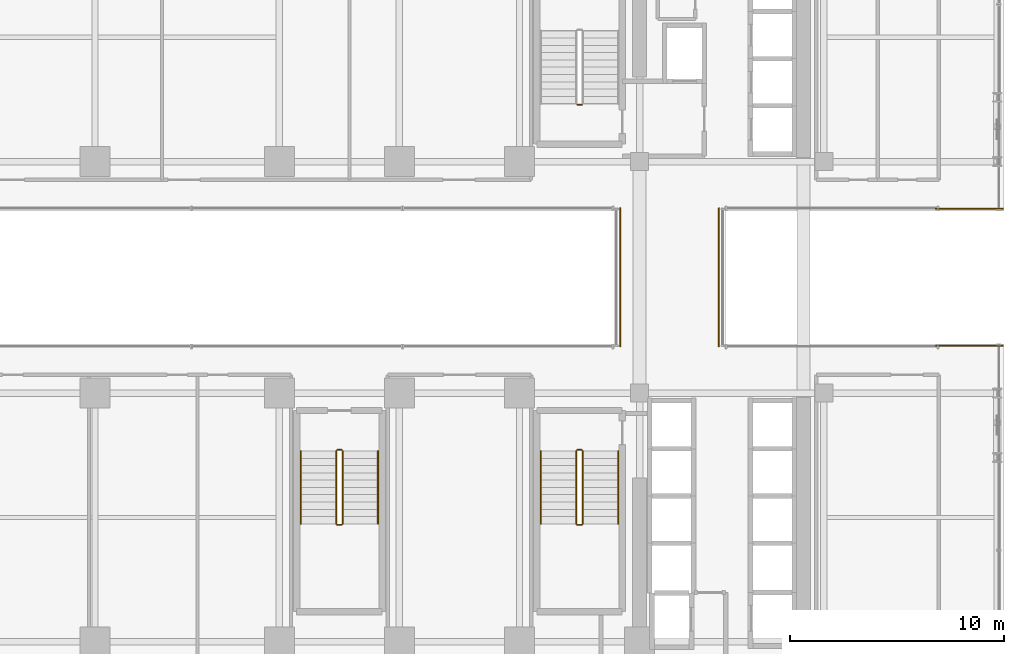
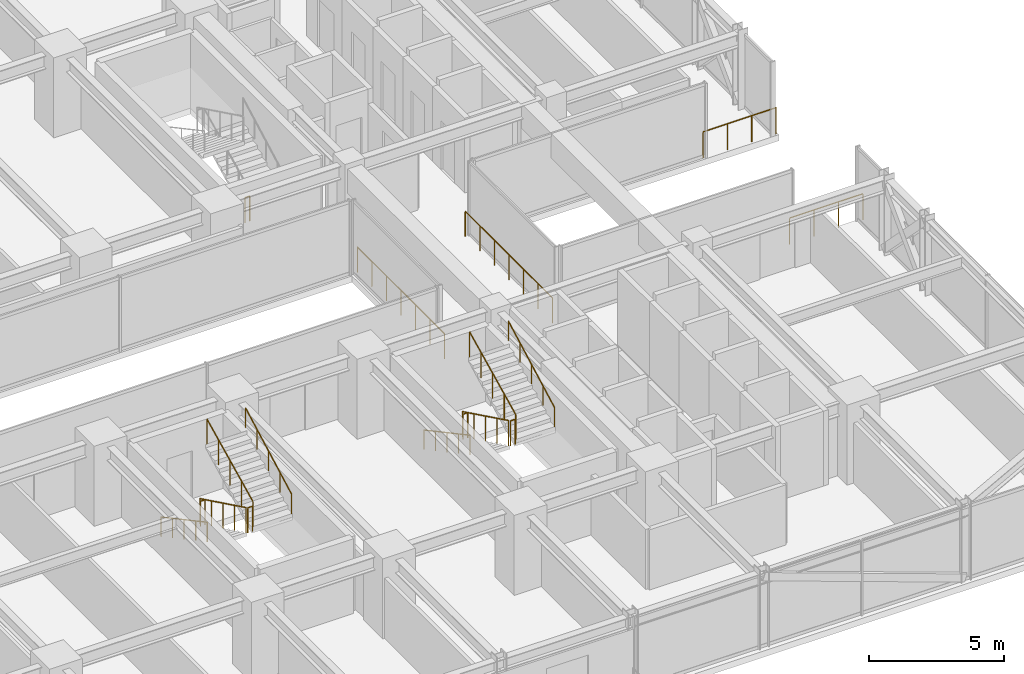
# One storey, part 36 of 38: 17 railings.
"""IFC4 building model written with IfcOpenShell, lengths in metres."""

from ifc_helpers import new_model, si_unit, direction, frame, origin, origin_2d, place, context, subcontext, project, spatial, circle, extrude, material, type_object, element, save


model = new_model("IFC4")

# Units and contexts
model_context = context("Model", 3, precision=1e-05, world=origin(), true_north=direction((0.0, 1.0)))
body_context = subcontext(model_context, "Body", "Model", "MODEL_VIEW")
ifc_project = project(units=[si_unit("LENGTHUNIT", "METRE"), si_unit("AREAUNIT", "SQUARE_METRE"), si_unit("VOLUMEUNIT", "CUBIC_METRE"), si_unit("PLANEANGLEUNIT", "RADIAN"), si_unit("MASSUNIT", "GRAM", prefix="KILO")], contexts=[model_context])

# Site, building, storey
site_placement = place(None, origin())
site = spatial("IfcSite", under=ifc_project, at=site_placement, CompositionType="ELEMENT")
building_placement = place(site_placement, origin())
building = spatial("IfcBuilding", under=site, at=building_placement, Name="Nahalor Promenade Grand Hotel", CompositionType="ELEMENT")
storey_placement = place(building_placement, frame((0.0, 0.0, 50.64990234375)))
storey = spatial("IfcBuildingStorey", under=building, at=storey_placement, Name="L11", CompositionType="ELEMENT", Elevation=50.64990234375)

# Railings
ifc_material_1 = material(Name="Anodised Bronze Aluminium EN AW-6063 T6", Category="aluminium")
railing_type_1 = type_object("IfcRailingType", Name="Bronze Balcony Guardrail 1200 mm", PredefinedType="GUARDRAIL", material=ifc_material_1)
for number, where, name in (
    (1, (22.219970703125, -3.199951171875, 0.0), "L11 Oculus Void Edge Guardrail ES"),
    (2, (22.219970703125, 3.199951171875, 0.0), "L11 Oculus Void Edge Guardrail EN"),
):
    element("IfcRailing", number, at=place(storey_placement, frame(where)), inside=storey, type_object=railing_type_1, Name=name, PredefinedType="GUARDRAIL", context=body_context, shape_type="SweptSolid", body=[
        extrude(circle(Radius=0.024048, at=origin_2d()), frame((0.0, 0.0, 1.17578125), z_axis=(1.0, 0.0, 0.0), x_axis=(0.0, 1.0, 0.0)), (0.0, 0.0, 1.0), 3.1201171875),
        extrude(circle(Radius=0.020996, at=origin_2d()), origin(), (0.0, 0.0, 1.0), 1.14990234375),
        extrude(circle(Radius=0.020996, at=origin_2d()), frame((1.0400390625, 0.0, 0.0)), (0.0, 0.0, 1.0), 1.14990234375),
        extrude(circle(Radius=0.020996, at=origin_2d()), frame((2.080078125, 0.0, 0.0)), (0.0, 0.0, 1.0), 1.14990234375),
        extrude(circle(Radius=0.020996, at=origin_2d()), frame((3.1201171875, 0.0, 0.0)), (0.0, 0.0, 1.0), 1.14990234375),
    ])
railing_type_2 = type_object("IfcRailingType", Name="Bronze Sky Balustrade 1150 mm", PredefinedType="BALUSTRADE", material=ifc_material_1)
for number, where, name in (
    (3, (7.5, -3.219970703125, 0.0), "BL-L11-BRG-W"),
    (4, (12.10009765625, -3.219970703125, 0.0), "BL-L11-BRG-E"),
):
    element("IfcRailing", number, at=place(storey_placement, frame(where)), inside=storey, type_object=railing_type_2, Name=name, PredefinedType="BALUSTRADE", context=body_context, shape_type="SweptSolid", body=[
        extrude(circle(Radius=0.024048, at=origin_2d()), frame((0.0, 0.0, 1.1259765625), z_axis=(0.0, 1.0, 0.0), x_axis=(-1.0, 0.0, 0.0)), (0.0, 0.0, 1.0), 6.43994140625),
        extrude(circle(Radius=0.020996, at=origin_2d()), origin(), (0.0, 0.0, 1.0), 1.099853515625),
        extrude(circle(Radius=0.020996, at=origin_2d()), frame((0.0, 1.0732421875, 0.0)), (0.0, 0.0, 1.0), 1.099853515625),
        extrude(circle(Radius=0.020996, at=origin_2d()), frame((0.0, 2.146728515625, 0.0)), (0.0, 0.0, 1.0), 1.099853515625),
        extrude(circle(Radius=0.020996, at=origin_2d()), frame((0.0, 3.219970703125, 0.0)), (0.0, 0.0, 1.0), 1.099853515625),
        extrude(circle(Radius=0.020996, at=origin_2d()), frame((0.0, 4.293212890625, 0.0)), (0.0, 0.0, 1.0), 1.099853515625),
        extrude(circle(Radius=0.020996, at=origin_2d()), frame((0.0, 5.36669921875, 0.0)), (0.0, 0.0, 1.0), 1.099853515625),
        extrude(circle(Radius=0.020996, at=origin_2d()), frame((0.0, 6.43994140625, 0.0)), (0.0, 0.0, 1.0), 1.099853515625),
    ])
ifc_material_2 = material(Name="Steel S355JR", Category="steel")
railing_type_3 = type_object("IfcRailingType", Name="Steel Stair Guardrail 1150 mm", PredefinedType="GUARDRAIL", material=ifc_material_2)
railing_1_placement = place(storey_placement, frame((5.699951171875, 8.050048828125, 0.0)))
element("IfcRailing", 5, at=railing_1_placement, inside=storey, type_object=railing_type_3, Name="L11 ST1 stair guard 4", PredefinedType="GUARDRAIL", context=body_context, shape_type="SweptSolid", body=[
    extrude(circle(Radius=0.024048, at=origin_2d()), frame((0.0, 0.0, 1.1259765625), z_axis=(-1.0, 0.0, 0.0), x_axis=(0.0, -1.0, 0.0)), (0.0, 0.0, 1.0), 0.199951171875),
    extrude(circle(Radius=0.020996, at=origin_2d()), origin(), (0.0, 0.0, 1.0), 1.099853515625),
    extrude(circle(Radius=0.020996, at=origin_2d()), frame((-0.199951171875, 0.0, 0.0)), (0.0, 0.0, 1.0), 1.099853515625),
])
railing_2_placement = place(storey_placement, frame((5.449951171875, -8.10009765625, 0.166015625)))
element("IfcRailing", 6, at=railing_2_placement, inside=storey, type_object=railing_type_3, Name="L11 ST2 stair guard 1", PredefinedType="GUARDRAIL", context=body_context, shape_type="SweptSolid", body=[
    extrude(circle(Radius=0.024048, at=origin_2d()), frame((0.0, 0.0, 1.1259765625), z_axis=(0.0, -0.898696488221, 0.438571114028), x_axis=(1.0, 0.0, 0.0)), (0.0, 0.0, 1.0), 3.783203125),
    extrude(circle(Radius=0.020996, at=origin_2d()), origin(), (0.0, 0.0, 1.0), 1.099853515625),
    extrude(circle(Radius=0.020996, at=origin_2d()), frame((0.0, -0.85009765625, 0.414794921875)), (0.0, 0.0, 1.0), 1.099853515625),
    extrude(circle(Radius=0.020996, at=origin_2d()), frame((0.0, -1.699951171875, 0.82958984375)), (0.0, 0.0, 1.0), 1.099853515625),
    extrude(circle(Radius=0.020996, at=origin_2d()), frame((0.0, -2.5498046875, 1.244384765625)), (0.0, 0.0, 1.0), 1.099853515625),
    extrude(circle(Radius=0.020996, at=origin_2d()), frame((0.0, -3.39990234375, 1.6591796875)), (0.0, 0.0, 1.0), 1.099853515625),
])
railing_3_placement = place(storey_placement, frame((5.5, -11.550048828125, 1.8251953125)))
element("IfcRailing", 7, at=railing_3_placement, inside=storey, type_object=railing_type_3, Name="L11 ST2 stair guard 2", PredefinedType="GUARDRAIL", context=body_context, shape_type="SweptSolid", body=[
    extrude(circle(Radius=0.024048, at=origin_2d()), frame((0.0, 0.0, 1.1259765625), z_axis=(1.0, 0.0, 0.0), x_axis=(0.0, 1.0, 0.0)), (0.0, 0.0, 1.0), 0.199951171875),
    extrude(circle(Radius=0.020996, at=origin_2d()), origin(), (0.0, 0.0, 1.0), 1.099853515625),
    extrude(circle(Radius=0.020996, at=origin_2d()), frame((0.199951171875, 0.0, 0.0)), (0.0, 0.0, 1.0), 1.099853515625),
])
railing_4_placement = place(storey_placement, frame((5.75, -11.5, 1.990966796875)))
element("IfcRailing", 8, at=railing_4_placement, inside=storey, type_object=railing_type_3, Name="L11 ST2 stair guard 3", PredefinedType="GUARDRAIL", context=body_context, shape_type="SweptSolid", body=[
    extrude(circle(Radius=0.024048, at=origin_2d()), frame((0.0, 0.0, 1.1259765625), z_axis=(0.0, 0.898696488221, 0.438571114028), x_axis=(-1.0, 0.0, 0.0)), (0.0, 0.0, 1.0), 3.783203125),
    extrude(circle(Radius=0.020996, at=origin_2d()), origin(), (0.0, 0.0, 1.0), 1.099853515625),
    extrude(circle(Radius=0.020996, at=origin_2d()), frame((0.0, 0.85009765625, 0.414794921875)), (0.0, 0.0, 1.0), 1.099853515625),
    extrude(circle(Radius=0.020996, at=origin_2d()), frame((0.0, 1.699951171875, 0.82958984375)), (0.0, 0.0, 1.0), 1.099853515625),
    extrude(circle(Radius=0.020996, at=origin_2d()), frame((0.0, 2.5498046875, 1.244384765625)), (0.0, 0.0, 1.0), 1.099853515625),
    extrude(circle(Radius=0.020996, at=origin_2d()), frame((0.0, 3.39990234375, 1.6591796875)), (0.0, 0.0, 1.0), 1.099853515625),
])
railing_5_placement = place(storey_placement, frame((5.5, -8.050048828125, 0.0)))
element("IfcRailing", 9, at=railing_5_placement, inside=storey, type_object=railing_type_3, Name="L11 ST2 stair guard 4", PredefinedType="GUARDRAIL", context=body_context, shape_type="SweptSolid", body=[
    extrude(circle(Radius=0.024048, at=origin_2d()), frame((0.0, 0.0, 1.1259765625), z_axis=(1.0, 0.0, 0.0), x_axis=(0.0, 1.0, 0.0)), (0.0, 0.0, 1.0), 0.199951171875),
    extrude(circle(Radius=0.020996, at=origin_2d()), origin(), (0.0, 0.0, 1.0), 1.099853515625),
    extrude(circle(Radius=0.020996, at=origin_2d()), frame((0.199951171875, 0.0, 0.0)), (0.0, 0.0, 1.0), 1.099853515625),
])
railing_6_placement = place(storey_placement, frame((-5.75, -8.10009765625, 0.166015625)))
element("IfcRailing", 10, at=railing_6_placement, inside=storey, type_object=railing_type_3, Name="L11 ST3 stair guard 1", PredefinedType="GUARDRAIL", context=body_context, shape_type="SweptSolid", body=[
    extrude(circle(Radius=0.024048, at=origin_2d()), frame((0.0, 0.0, 1.1259765625), z_axis=(0.0, -0.898696488221, 0.438571114028), x_axis=(1.0, 0.0, 0.0)), (0.0, 0.0, 1.0), 3.783203125),
    extrude(circle(Radius=0.020996, at=origin_2d()), origin(), (0.0, 0.0, 1.0), 1.099853515625),
    extrude(circle(Radius=0.020996, at=origin_2d()), frame((0.0, -0.85009765625, 0.414794921875)), (0.0, 0.0, 1.0), 1.099853515625),
    extrude(circle(Radius=0.020996, at=origin_2d()), frame((0.0, -1.699951171875, 0.82958984375)), (0.0, 0.0, 1.0), 1.099853515625),
    extrude(circle(Radius=0.020996, at=origin_2d()), frame((0.0, -2.5498046875, 1.244384765625)), (0.0, 0.0, 1.0), 1.099853515625),
    extrude(circle(Radius=0.020996, at=origin_2d()), frame((0.0, -3.39990234375, 1.6591796875)), (0.0, 0.0, 1.0), 1.099853515625),
])
railing_7_placement = place(storey_placement, frame((-5.699951171875, -11.550048828125, 1.8251953125)))
element("IfcRailing", 11, at=railing_7_placement, inside=storey, type_object=railing_type_3, Name="L11 ST3 stair guard 2", PredefinedType="GUARDRAIL", context=body_context, shape_type="SweptSolid", body=[
    extrude(circle(Radius=0.024048, at=origin_2d()), frame((0.0, 0.0, 1.1259765625), z_axis=(1.0, 0.0, 0.0), x_axis=(0.0, 1.0, 0.0)), (0.0, 0.0, 1.0), 0.199951171875),
    extrude(circle(Radius=0.020996, at=origin_2d()), origin(), (0.0, 0.0, 1.0), 1.099853515625),
    extrude(circle(Radius=0.020996, at=origin_2d()), frame((0.199951171875, 0.0, 0.0)), (0.0, 0.0, 1.0), 1.099853515625),
])
railing_8_placement = place(storey_placement, frame((-5.449951171875, -11.5, 1.990966796875)))
element("IfcRailing", 12, at=railing_8_placement, inside=storey, type_object=railing_type_3, Name="L11 ST3 stair guard 3", PredefinedType="GUARDRAIL", context=body_context, shape_type="SweptSolid", body=[
    extrude(circle(Radius=0.024048, at=origin_2d()), frame((0.0, 0.0, 1.1259765625), z_axis=(0.0, 0.898696488221, 0.438571114028), x_axis=(-1.0, 0.0, 0.0)), (0.0, 0.0, 1.0), 3.783203125),
    extrude(circle(Radius=0.020996, at=origin_2d()), origin(), (0.0, 0.0, 1.0), 1.099853515625),
    extrude(circle(Radius=0.020996, at=origin_2d()), frame((0.0, 0.85009765625, 0.414794921875)), (0.0, 0.0, 1.0), 1.099853515625),
    extrude(circle(Radius=0.020996, at=origin_2d()), frame((0.0, 1.699951171875, 0.82958984375)), (0.0, 0.0, 1.0), 1.099853515625),
    extrude(circle(Radius=0.020996, at=origin_2d()), frame((0.0, 2.5498046875, 1.244384765625)), (0.0, 0.0, 1.0), 1.099853515625),
    extrude(circle(Radius=0.020996, at=origin_2d()), frame((0.0, 3.39990234375, 1.6591796875)), (0.0, 0.0, 1.0), 1.099853515625),
])
railing_9_placement = place(storey_placement, frame((-5.699951171875, -8.050048828125, 0.0)))
element("IfcRailing", 13, at=railing_9_placement, inside=storey, type_object=railing_type_3, Name="L11 ST3 stair guard 4", PredefinedType="GUARDRAIL", context=body_context, shape_type="SweptSolid", body=[
    extrude(circle(Radius=0.024048, at=origin_2d()), frame((0.0, 0.0, 1.1259765625), z_axis=(1.0, 0.0, 0.0), x_axis=(0.0, 1.0, 0.0)), (0.0, 0.0, 1.0), 0.199951171875),
    extrude(circle(Radius=0.020996, at=origin_2d()), origin(), (0.0, 0.0, 1.0), 1.099853515625),
    extrude(circle(Radius=0.020996, at=origin_2d()), frame((0.199951171875, 0.0, 0.0)), (0.0, 0.0, 1.0), 1.099853515625),
])
railing_type_4 = type_object("IfcRailingType", Name="Steel Stair Handrail 900 mm", PredefinedType="HANDRAIL", material=ifc_material_2)
railing_10_placement = place(storey_placement, frame((3.800048828125, -8.10009765625, 0.166015625)))
element("IfcRailing", 14, at=railing_10_placement, inside=storey, type_object=railing_type_4, Name="L11 ST2 stair handrail 1", PredefinedType="HANDRAIL", context=body_context, shape_type="SweptSolid", body=[
    extrude(circle(Radius=0.024048, at=origin_2d()), frame((0.0, 0.0, 0.8759765625), z_axis=(0.0, -0.881094038095, 0.47294111265), x_axis=(1.0, 0.0, 0.0)), (0.0, 0.0, 1.0), 3.858642578125),
    extrude(circle(Radius=0.020996, at=origin_2d()), origin(), (0.0, 0.0, 1.0), 0.849853515625),
    extrude(circle(Radius=0.020996, at=origin_2d()), frame((0.0, -0.85009765625, 0.456298828125)), (0.0, 0.0, 1.0), 0.849853515625),
    extrude(circle(Radius=0.020996, at=origin_2d()), frame((0.0, -1.699951171875, 0.91259765625)), (0.0, 0.0, 1.0), 0.849853515625),
    extrude(circle(Radius=0.020996, at=origin_2d()), frame((0.0, -2.5498046875, 1.36865234375)), (0.0, 0.0, 1.0), 0.849853515625),
    extrude(circle(Radius=0.020996, at=origin_2d()), frame((0.0, -3.39990234375, 1.824951171875)), (0.0, 0.0, 1.0), 0.849853515625),
])
railing_11_placement = place(storey_placement, frame((7.39990234375, -11.5, 1.990966796875)))
element("IfcRailing", 15, at=railing_11_placement, inside=storey, type_object=railing_type_4, Name="L11 ST2 stair handrail 2", PredefinedType="HANDRAIL", context=body_context, shape_type="SweptSolid", body=[
    extrude(circle(Radius=0.024048, at=origin_2d()), frame((0.0, 0.0, 0.8759765625), z_axis=(0.0, 0.881094038095, 0.47294111265), x_axis=(-1.0, 0.0, 0.0)), (0.0, 0.0, 1.0), 3.858642578125),
    extrude(circle(Radius=0.020996, at=origin_2d()), origin(), (0.0, 0.0, 1.0), 0.849853515625),
    extrude(circle(Radius=0.020996, at=origin_2d()), frame((0.0, 0.85009765625, 0.456298828125)), (0.0, 0.0, 1.0), 0.849853515625),
    extrude(circle(Radius=0.020996, at=origin_2d()), frame((0.0, 1.699951171875, 0.91259765625)), (0.0, 0.0, 1.0), 0.849853515625),
    extrude(circle(Radius=0.020996, at=origin_2d()), frame((0.0, 2.5498046875, 1.36865234375)), (0.0, 0.0, 1.0), 0.849853515625),
    extrude(circle(Radius=0.020996, at=origin_2d()), frame((0.0, 3.39990234375, 1.824951171875)), (0.0, 0.0, 1.0), 0.849853515625),
])
railing_12_placement = place(storey_placement, frame((-7.39990234375, -8.10009765625, 0.166015625)))
element("IfcRailing", 16, at=railing_12_placement, inside=storey, type_object=railing_type_4, Name="L11 ST3 stair handrail 1", PredefinedType="HANDRAIL", context=body_context, shape_type="SweptSolid", body=[
    extrude(circle(Radius=0.024048, at=origin_2d()), frame((0.0, 0.0, 0.8759765625), z_axis=(0.0, -0.881094038095, 0.47294111265), x_axis=(1.0, 0.0, 0.0)), (0.0, 0.0, 1.0), 3.858642578125),
    extrude(circle(Radius=0.020996, at=origin_2d()), origin(), (0.0, 0.0, 1.0), 0.849853515625),
    extrude(circle(Radius=0.020996, at=origin_2d()), frame((0.0, -0.85009765625, 0.456298828125)), (0.0, 0.0, 1.0), 0.849853515625),
    extrude(circle(Radius=0.020996, at=origin_2d()), frame((0.0, -1.699951171875, 0.91259765625)), (0.0, 0.0, 1.0), 0.849853515625),
    extrude(circle(Radius=0.020996, at=origin_2d()), frame((0.0, -2.5498046875, 1.36865234375)), (0.0, 0.0, 1.0), 0.849853515625),
    extrude(circle(Radius=0.020996, at=origin_2d()), frame((0.0, -3.39990234375, 1.824951171875)), (0.0, 0.0, 1.0), 0.849853515625),
])
railing_13_placement = place(storey_placement, frame((-3.800048828125, -11.5, 1.990966796875)))
element("IfcRailing", 17, at=railing_13_placement, inside=storey, type_object=railing_type_4, Name="L11 ST3 stair handrail 2", PredefinedType="HANDRAIL", context=body_context, shape_type="SweptSolid", body=[
    extrude(circle(Radius=0.024048, at=origin_2d()), frame((0.0, 0.0, 0.8759765625), z_axis=(0.0, 0.881094038095, 0.47294111265), x_axis=(-1.0, 0.0, 0.0)), (0.0, 0.0, 1.0), 3.858642578125),
    extrude(circle(Radius=0.020996, at=origin_2d()), origin(), (0.0, 0.0, 1.0), 0.849853515625),
    extrude(circle(Radius=0.020996, at=origin_2d()), frame((0.0, 0.85009765625, 0.456298828125)), (0.0, 0.0, 1.0), 0.849853515625),
    extrude(circle(Radius=0.020996, at=origin_2d()), frame((0.0, 1.699951171875, 0.91259765625)), (0.0, 0.0, 1.0), 0.849853515625),
    extrude(circle(Radius=0.020996, at=origin_2d()), frame((0.0, 2.5498046875, 1.36865234375)), (0.0, 0.0, 1.0), 0.849853515625),
    extrude(circle(Radius=0.020996, at=origin_2d()), frame((0.0, 3.39990234375, 1.824951171875)), (0.0, 0.0, 1.0), 0.849853515625),
])

save(model, "model.ifc")
